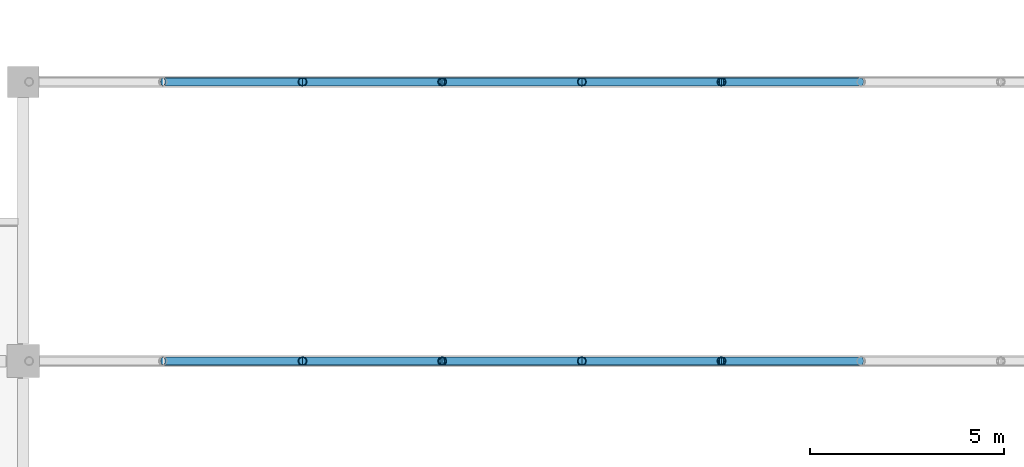
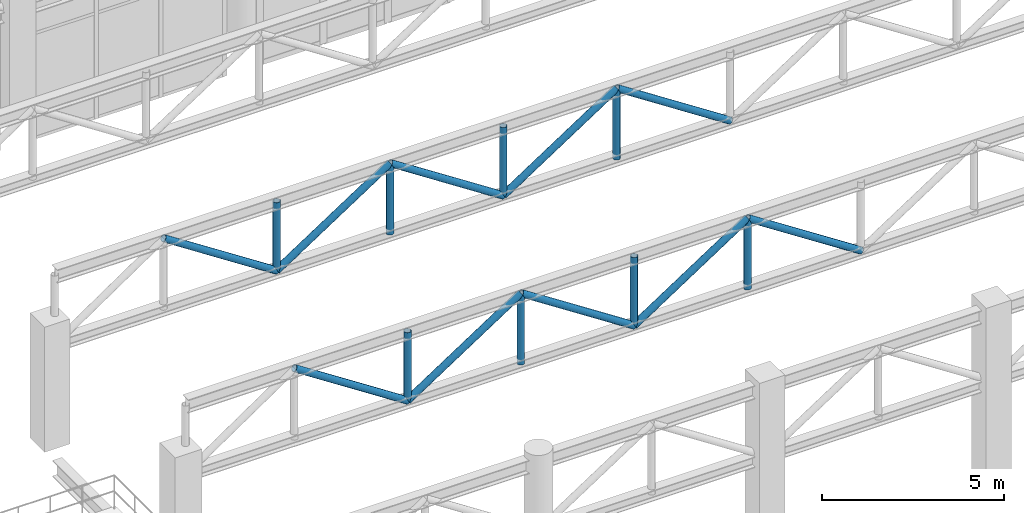
# One storey, part 93 of 153: 18 members.
"""IFC4 building model written with IfcOpenShell, lengths in metres."""

from ifc_helpers import new_model, si_unit, direction, frame, origin, origin_2d, place, context, subcontext, project, spatial, hollow_circle, extrude, material, material_profile, profile_set, type_object, element, save


model = new_model("IFC4")

# Units and contexts
model_context = context("Model", 3, precision=1e-05, world=origin(), true_north=direction((0.0, 1.0)))
body_context = subcontext(model_context, "Body", "Model", "MODEL_VIEW")
ifc_project = project(units=[si_unit("LENGTHUNIT", "METRE"), si_unit("AREAUNIT", "SQUARE_METRE"), si_unit("VOLUMEUNIT", "CUBIC_METRE"), si_unit("PLANEANGLEUNIT", "RADIAN"), si_unit("MASSUNIT", "GRAM", prefix="KILO")], contexts=[model_context])

# Site, building, storey
site_placement = place(None, origin())
site = spatial("IfcSite", under=ifc_project, at=site_placement, CompositionType="ELEMENT")
building_placement = place(site_placement, origin())
building = spatial("IfcBuilding", under=site, at=building_placement, Name="Qandorah Velis Arena", CompositionType="ELEMENT")
storey_placement = place(building_placement, frame((0.0, 0.0, 5.39990234375)))
storey = spatial("IfcBuildingStorey", under=building, at=storey_placement, Name="L01", CompositionType="ELEMENT", Elevation=5.39990234375)

# Members
ifc_material = material(Name="Steel S355", Category="steel")
ifc_material_profile = material_profile(ifc_material, hollow_circle(Radius=0.109619140625, WallThickness=0.010009765625, at=origin_2d()), Name="CHS 219.1x10")
ifc_profile_set = profile_set([ifc_material_profile], Name="Steel S355")
member_type = type_object("IfcMemberType", Name="STR-SFD-CHS219X10", PredefinedType="STRUT", material=ifc_profile_set)
member_1_placement = place(storey_placement, frame((126.0, 100.800048828125, 5.55517578125), z_axis=(0.837375540217, 0.0, -0.546628031339), x_axis=(0.0, 1.0, 0.0)))
element("IfcMember", 1, at=member_1_placement, inside=storey, type_object=member_type, Name="Practice court roof truss 2 web diagonal 2", PredefinedType="STRUT", context=body_context, shape_type="SweptSolid", body=[
    extrude(hollow_circle(Radius=0.109619140625, WallThickness=0.010009765625, at=origin_2d()), origin(), (0.0, 0.0, 1.0), 4.29931640625),
])
member_2_placement = place(storey_placement, frame((129.60009765625, 100.800048828125, 3.205078125), z_axis=(0.0, 0.0, 1.0), x_axis=(1.0, 0.0, 0.0)))
element("IfcMember", 2, at=member_2_placement, inside=storey, type_object=member_type, Name="Practice court roof truss 2 vertical 3", PredefinedType="STRUT", context=body_context, shape_type="SweptSolid", body=[
    extrude(hollow_circle(Radius=0.109619140625, WallThickness=0.010009765625, at=origin_2d()), origin(), (0.0, 0.0, 1.0), 2.35009765625),
])
member_3_placement = place(storey_placement, frame((129.60009765625, 100.800048828125, 3.205078125), z_axis=(0.837358571039, 0.0, 0.54665402542), x_axis=(0.0, 1.0, 0.0)))
element("IfcMember", 3, at=member_3_placement, inside=storey, type_object=member_type, Name="Practice court roof truss 2 web diagonal 3", PredefinedType="STRUT", context=body_context, shape_type="SweptSolid", body=[
    extrude(hollow_circle(Radius=0.109619140625, WallThickness=0.010009765625, at=origin_2d()), origin(), (0.0, 0.0, 1.0), 4.299072265625),
])
member_4_placement = place(storey_placement, frame((133.199951171875, 100.800048828125, 3.205078125), z_axis=(0.0, 0.0, 1.0), x_axis=(1.0, 0.0, 0.0)))
element("IfcMember", 4, at=member_4_placement, inside=storey, type_object=member_type, Name="Practice court roof truss 2 vertical 4", PredefinedType="STRUT", context=body_context, shape_type="SweptSolid", body=[
    extrude(hollow_circle(Radius=0.109619140625, WallThickness=0.010009765625, at=origin_2d()), origin(), (0.0, 0.0, 1.0), 2.35009765625),
])
member_5_placement = place(storey_placement, frame((133.199951171875, 100.800048828125, 5.55517578125), z_axis=(0.837375540217, 0.0, -0.546628031339), x_axis=(0.0, 1.0, 0.0)))
element("IfcMember", 5, at=member_5_placement, inside=storey, type_object=member_type, Name="Practice court roof truss 2 web diagonal 4", PredefinedType="STRUT", context=body_context, shape_type="SweptSolid", body=[
    extrude(hollow_circle(Radius=0.109619140625, WallThickness=0.010009765625, at=origin_2d()), origin(), (0.0, 0.0, 1.0), 4.29931640625),
])
member_6_placement = place(storey_placement, frame((136.800048828125, 100.800048828125, 3.205078125), z_axis=(0.0, 0.0, 1.0), x_axis=(1.0, 0.0, 0.0)))
element("IfcMember", 6, at=member_6_placement, inside=storey, type_object=member_type, Name="Practice court roof truss 2 vertical 5", PredefinedType="STRUT", context=body_context, shape_type="SweptSolid", body=[
    extrude(hollow_circle(Radius=0.109619140625, WallThickness=0.010009765625, at=origin_2d()), origin(), (0.0, 0.0, 1.0), 2.35009765625),
])
member_7_placement = place(storey_placement, frame((136.800048828125, 100.800048828125, 3.205078125), z_axis=(0.837358571039, 0.0, 0.54665402542), x_axis=(0.0, 1.0, 0.0)))
element("IfcMember", 7, at=member_7_placement, inside=storey, type_object=member_type, Name="Practice court roof truss 2 web diagonal 5", PredefinedType="STRUT", context=body_context, shape_type="SweptSolid", body=[
    extrude(hollow_circle(Radius=0.109619140625, WallThickness=0.010009765625, at=origin_2d()), origin(), (0.0, 0.0, 1.0), 4.299072265625),
])
member_8_placement = place(storey_placement, frame((140.39990234375, 100.800048828125, 3.205078125), z_axis=(0.0, 0.0, 1.0), x_axis=(1.0, 0.0, 0.0)))
element("IfcMember", 8, at=member_8_placement, inside=storey, type_object=member_type, Name="Practice court roof truss 2 vertical 6", PredefinedType="STRUT", context=body_context, shape_type="SweptSolid", body=[
    extrude(hollow_circle(Radius=0.109619140625, WallThickness=0.010009765625, at=origin_2d()), origin(), (0.0, 0.0, 1.0), 2.35009765625),
])
for number, where, z_axis, x_axis, name in (
    (9, (140.39990234375, 100.800048828125, 5.55517578125), (0.837375540217, 0.0, -0.546628031339), (0.0, 1.0, 0.0), "Practice court roof truss 2 web diagonal 6"),
    (10, (126.0, 108.0, 5.55517578125), (0.837375540217, 0.0, -0.546628031339), (0.0, 1.0, 0.0), "Practice court roof truss 3 web diagonal 2"),
):
    element("IfcMember", number, at=place(storey_placement, frame(where, z_axis=z_axis, x_axis=x_axis)), inside=storey, type_object=member_type, Name=name, PredefinedType="STRUT", context=body_context, shape_type="SweptSolid", body=[
        extrude(hollow_circle(Radius=0.109619140625, WallThickness=0.010009765625, at=origin_2d()), origin(), (0.0, 0.0, 1.0), 4.29931640625),
    ])
member_9_placement = place(storey_placement, frame((129.60009765625, 108.0, 3.205078125), z_axis=(0.0, 0.0, 1.0), x_axis=(1.0, 0.0, 0.0)))
element("IfcMember", 11, at=member_9_placement, inside=storey, type_object=member_type, Name="Practice court roof truss 3 vertical 3", PredefinedType="STRUT", context=body_context, shape_type="SweptSolid", body=[
    extrude(hollow_circle(Radius=0.109619140625, WallThickness=0.010009765625, at=origin_2d()), origin(), (0.0, 0.0, 1.0), 2.35009765625),
])
member_10_placement = place(storey_placement, frame((129.60009765625, 108.0, 3.205078125), z_axis=(0.837358571039, 0.0, 0.54665402542), x_axis=(0.0, 1.0, 0.0)))
element("IfcMember", 12, at=member_10_placement, inside=storey, type_object=member_type, Name="Practice court roof truss 3 web diagonal 3", PredefinedType="STRUT", context=body_context, shape_type="SweptSolid", body=[
    extrude(hollow_circle(Radius=0.109619140625, WallThickness=0.010009765625, at=origin_2d()), origin(), (0.0, 0.0, 1.0), 4.299072265625),
])
member_11_placement = place(storey_placement, frame((133.199951171875, 108.0, 3.205078125), z_axis=(0.0, 0.0, 1.0), x_axis=(1.0, 0.0, 0.0)))
element("IfcMember", 13, at=member_11_placement, inside=storey, type_object=member_type, Name="Practice court roof truss 3 vertical 4", PredefinedType="STRUT", context=body_context, shape_type="SweptSolid", body=[
    extrude(hollow_circle(Radius=0.109619140625, WallThickness=0.010009765625, at=origin_2d()), origin(), (0.0, 0.0, 1.0), 2.35009765625),
])
member_12_placement = place(storey_placement, frame((133.199951171875, 108.0, 5.55517578125), z_axis=(0.837375540217, 0.0, -0.546628031339), x_axis=(0.0, 1.0, 0.0)))
element("IfcMember", 14, at=member_12_placement, inside=storey, type_object=member_type, Name="Practice court roof truss 3 web diagonal 4", PredefinedType="STRUT", context=body_context, shape_type="SweptSolid", body=[
    extrude(hollow_circle(Radius=0.109619140625, WallThickness=0.010009765625, at=origin_2d()), origin(), (0.0, 0.0, 1.0), 4.29931640625),
])
member_13_placement = place(storey_placement, frame((136.800048828125, 108.0, 3.205078125), z_axis=(0.0, 0.0, 1.0), x_axis=(1.0, 0.0, 0.0)))
element("IfcMember", 15, at=member_13_placement, inside=storey, type_object=member_type, Name="Practice court roof truss 3 vertical 5", PredefinedType="STRUT", context=body_context, shape_type="SweptSolid", body=[
    extrude(hollow_circle(Radius=0.109619140625, WallThickness=0.010009765625, at=origin_2d()), origin(), (0.0, 0.0, 1.0), 2.35009765625),
])
member_14_placement = place(storey_placement, frame((136.800048828125, 108.0, 3.205078125), z_axis=(0.837358571039, 0.0, 0.54665402542), x_axis=(0.0, 1.0, 0.0)))
element("IfcMember", 16, at=member_14_placement, inside=storey, type_object=member_type, Name="Practice court roof truss 3 web diagonal 5", PredefinedType="STRUT", context=body_context, shape_type="SweptSolid", body=[
    extrude(hollow_circle(Radius=0.109619140625, WallThickness=0.010009765625, at=origin_2d()), origin(), (0.0, 0.0, 1.0), 4.299072265625),
])
member_15_placement = place(storey_placement, frame((140.39990234375, 108.0, 3.205078125), z_axis=(0.0, 0.0, 1.0), x_axis=(1.0, 0.0, 0.0)))
element("IfcMember", 17, at=member_15_placement, inside=storey, type_object=member_type, Name="Practice court roof truss 3 vertical 6", PredefinedType="STRUT", context=body_context, shape_type="SweptSolid", body=[
    extrude(hollow_circle(Radius=0.109619140625, WallThickness=0.010009765625, at=origin_2d()), origin(), (0.0, 0.0, 1.0), 2.35009765625),
])
member_16_placement = place(storey_placement, frame((140.39990234375, 108.0, 5.55517578125), z_axis=(0.837375540217, 0.0, -0.546628031339), x_axis=(0.0, 1.0, 0.0)))
element("IfcMember", 18, at=member_16_placement, inside=storey, type_object=member_type, Name="Practice court roof truss 3 web diagonal 6", PredefinedType="STRUT", context=body_context, shape_type="SweptSolid", body=[
    extrude(hollow_circle(Radius=0.109619140625, WallThickness=0.010009765625, at=origin_2d()), origin(), (0.0, 0.0, 1.0), 4.29931640625),
])

save(model, "model.ifc")
